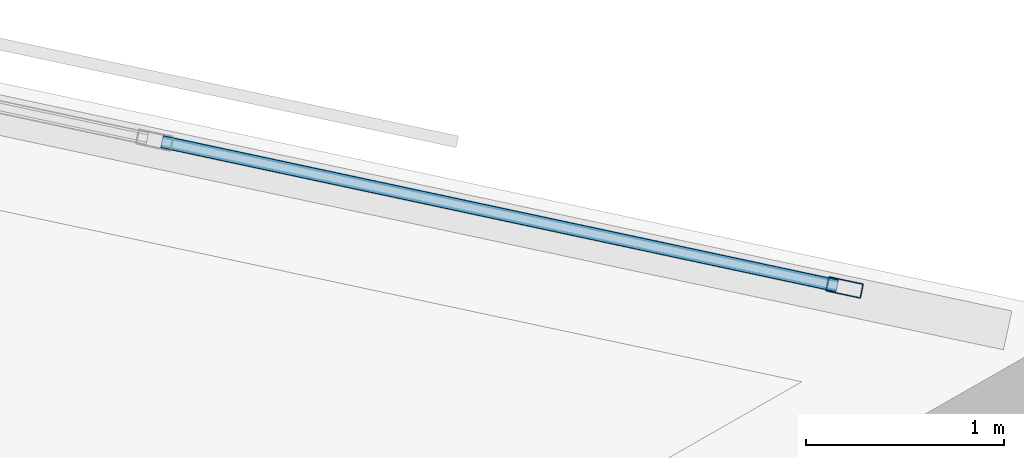
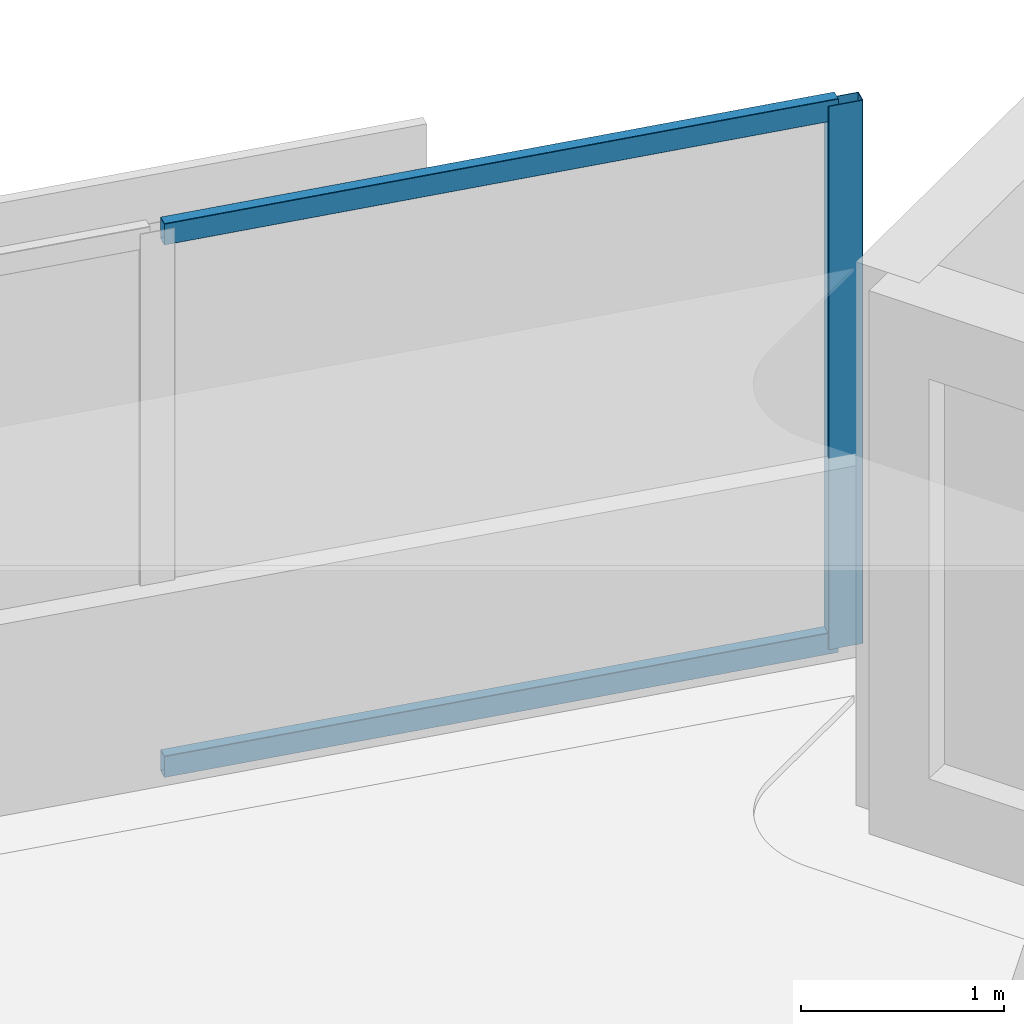
# One storey, part 6 of 13: 3 members, 1 element without a shape of its own.
"""IFC4 building model written with IfcOpenShell, lengths in metres."""

import ifcopenshell
import ifcopenshell.guid

model = None  # the IFC model being written
_history = None  # IfcOwnerHistory: only IFC2X3 demands one
_inside = {}  # id of a spatial element -> (the spatial element, [elements in it])
_under = {}  # id of a project, library or spatial element -> (it, [spatial elements below it])
_declared = {}  # id of a project -> (the project, [libraries it declares])
_typed = {}  # id of a type object -> (the type object, [elements of that type])
_made_of = {}  # id of a material, layer set ... -> (it, [elements and type objects made of it])


def new_model(schema):
    """Start an empty IFC model of exactly this schema.

    Asked for "IFC4X3", IfcOpenShell would pick the latest addendum, in which some entities
    have other attributes; the version numbers below select the first issue.
    IFC2X3 requires an IfcOwnerHistory on every rooted entity: one is made here for all.
    """
    global model, _history
    if schema == "IFC4X3":
        model = ifcopenshell.file(schema_version=(4, 3, 0, 0))
    else:
        model = ifcopenshell.file(schema=schema)
    _inside.clear()
    _under.clear()
    _declared.clear()
    _typed.clear()
    _made_of.clear()
    _history = None
    if model.schema == "IFC2X3":
        org = make("IfcOrganization", Name="unknown")
        user = make(
            "IfcPersonAndOrganization",
            ThePerson=make("IfcPerson", FamilyName="unknown"),
            TheOrganization=org,
        )
        app = make(
            "IfcApplication",
            ApplicationDeveloper=org,
            Version="unknown",
            ApplicationFullName="unknown",
            ApplicationIdentifier="unknown",
        )
        _history = make(
            "IfcOwnerHistory",
            OwningUser=user,
            OwningApplication=app,
            ChangeAction="ADDED",
            CreationDate=0,
        )
    return model


def make(cls, **values):
    """One entity of the class cls with the attributes given. An attribute that is None is left unset."""
    return model.create_entity(
        cls, **{name: value for name, value in values.items() if value is not None}
    )


def rooted(cls, **values):
    """An entity with a GlobalId (a new one), such as an element, a storey or a relation."""
    return make(cls, GlobalId=ifcopenshell.guid.new(), OwnerHistory=_history, **values)


def si_unit(unit_type, name, prefix=None):
    """IfcSIUnit, for example si_unit("LENGTHUNIT", "METRE", prefix="MILLI")."""
    return make("IfcSIUnit", UnitType=unit_type, Prefix=prefix, Name=name)


def assignment(units):
    """IfcUnitAssignment: the units of a project."""
    return None if units is None else make("IfcUnitAssignment", Units=units)


def point(xyz):
    """IfcCartesianPoint."""
    return None if xyz is None else make("IfcCartesianPoint", Coordinates=xyz)


def direction(xyz):
    """IfcDirection."""
    return None if xyz is None else make("IfcDirection", DirectionRatios=xyz)


def frame(location, z_axis=None, x_axis=None):
    """IfcAxis2Placement3D, a coordinate frame: its origin and axes. An axis left out is left unset."""
    return make(
        "IfcAxis2Placement3D",
        Location=point(location),
        Axis=direction(z_axis),
        RefDirection=direction(x_axis),
    )


def frame_2d(location, x_axis=None):
    """IfcAxis2Placement2D, a coordinate frame in the plane: its origin and x axis."""
    return make(
        "IfcAxis2Placement2D", Location=point(location), RefDirection=direction(x_axis)
    )


def origin():
    """The frame at (0, 0, 0) with its axes left unset."""
    return frame((0.0, 0.0, 0.0))


def origin_2d():
    """The frame at (0, 0) in the plane with its x axis left unset."""
    return frame_2d((0.0, 0.0))


def place(relative_to, where):
    """IfcLocalPlacement: puts the frame where relative to a parent placement (None: the world)."""
    return make(
        "IfcLocalPlacement", PlacementRelTo=relative_to, RelativePlacement=where
    )


def context(
    kind, dimensions, precision=None, world=None, true_north=None, identifier=None
):
    """IfcGeometricRepresentationContext, for example the 3D "Model" context."""
    return make(
        "IfcGeometricRepresentationContext",
        ContextIdentifier=identifier,
        ContextType=kind,
        CoordinateSpaceDimension=dimensions,
        Precision=precision,
        WorldCoordinateSystem=world,
        TrueNorth=true_north,
    )


def subcontext(parent, identifier, kind, view, scale=None):
    """IfcGeometricRepresentationSubContext, for example "Body" below "Model"."""
    return make(
        "IfcGeometricRepresentationSubContext",
        ContextIdentifier=identifier,
        ContextType=kind,
        ParentContext=parent,
        TargetScale=scale,
        TargetView=view,
    )


def project(units=None, contexts=None):
    """IfcProject with its units and contexts."""
    return rooted(
        "IfcProject",
        Name="project",
        RepresentationContexts=contexts,
        UnitsInContext=assignment(units),
    )


def spatial(cls, under=None, at=None, **own):
    """A site, building, storey or space (cls), placed at a placement, below another one or the project."""
    s = rooted(cls, ObjectPlacement=at, **own)
    if under is not None:
        _under.setdefault(under.id(), (under, []))[1].append(s)
    return s


def profile(cls, at=None, kind="AREA", **sizes):
    """A parametric profile (cls). Its sizes go by their IFC names, for example OverallWidth=200.0."""
    return make(cls, ProfileType=kind, Position=at, **sizes)


def hollow_rectangle(**sizes):
    """IfcRectangleHollowProfileDef."""
    return profile("IfcRectangleHollowProfileDef", **sizes)


def extrude(swept, where, along, depth):
    """IfcExtrudedAreaSolid: the profile swept, set in the frame where, extruded along a direction by depth."""
    return make(
        "IfcExtrudedAreaSolid",
        SweptArea=swept,
        Position=where,
        ExtrudedDirection=direction(along),
        Depth=depth,
    )


def shape(context_of_items, identifier, shape_type, items):
    """IfcShapeRepresentation: the items that make up one representation, for example the "Body"."""
    return make(
        "IfcShapeRepresentation",
        ContextOfItems=context_of_items,
        RepresentationIdentifier=identifier,
        RepresentationType=shape_type,
        Items=items,
    )


def material(Name=None, Category=None):
    """IfcMaterial."""
    return make("IfcMaterial", Name=Name, Category=Category)


def material_profile(
    of_material, cross_section, Name=None, Category=None, Priority=None
):
    """IfcMaterialProfile: a cross section and its material."""
    return make(
        "IfcMaterialProfile",
        Name=Name,
        Material=of_material,
        Profile=cross_section,
        Priority=Priority,
        Category=Category,
    )


def profile_set(profiles, Name=None, composite=None):
    """IfcMaterialProfileSet."""
    return make(
        "IfcMaterialProfileSet",
        Name=Name,
        MaterialProfiles=profiles,
        CompositeProfile=composite,
    )


def made_of(thing, what):
    """Note that an element or type object is made of a material, layer set ...; save() writes the relation."""
    if what is not None:
        _made_of.setdefault(what.id(), (what, []))[1].append(thing)
    return thing


def type_object(cls, material=None, **own):
    """A type object (cls), such as IfcWallType, which elements share."""
    return made_of(rooted(cls, **own), material)


def element(
    cls,
    number,
    at=None,
    inside=None,
    cuts=None,
    type_object=None,
    material=None,
    context=None,
    identifier="Body",
    shape_type=None,
    held_by="IfcProductDefinitionShape",
    body=None,
    shapes=None,
    **own,
):
    """One element of the class cls, such as IfcWall. Its Tag is "e" and its number.

    at: its placement. inside: the storey or other place that contains it. cuts: it is an
    opening in that element (IfcRelVoidsElement). A single representation is given by context,
    identifier, shape_type and body (its items); several are given by shapes. held_by: the class
    of the entity that holds the representations. save() writes the other relations.
    """
    e = rooted(cls, Tag="e%d" % number, ObjectPlacement=at, **own)
    if body is not None:
        shapes = [shape(context, identifier, shape_type, body)]
    if shapes is not None:
        e.Representation = make(held_by, Representations=shapes)
    if inside is not None:
        _inside.setdefault(inside.id(), (inside, []))[1].append(e)
    if cuts is not None:
        rooted(
            "IfcRelVoidsElement", RelatingBuildingElement=cuts, RelatedOpeningElement=e
        )
    if type_object is not None:
        _typed.setdefault(type_object.id(), (type_object, []))[1].append(e)
    return made_of(e, material)


def aggregate(whole, parts):
    """IfcRelAggregates: a whole, such as a stair, and the parts it consists of."""
    return rooted("IfcRelAggregates", RelatingObject=whole, RelatedObjects=parts)


def save(model, path):
    """Write the relations noted so far, then the file.

    IfcRelAggregates (storeys below a building ...), IfcRelContainedInSpatialStructure (elements
    in a storey), IfcRelDefinesByType, IfcRelAssociatesMaterial and IfcRelDeclares: one each for
    every whole, place, type object, material and project.
    """
    for whole, parts in _under.values():
        aggregate(whole, parts)
    for where, things in _inside.values():
        rooted(
            "IfcRelContainedInSpatialStructure",
            RelatedElements=things,
            RelatingStructure=where,
        )
    for kind, things in _typed.values():
        rooted("IfcRelDefinesByType", RelatedObjects=things, RelatingType=kind)
    for what, things in _made_of.values():
        rooted("IfcRelAssociatesMaterial", RelatedObjects=things, RelatingMaterial=what)
    for by, libraries in _declared.values():
        rooted("IfcRelDeclares", RelatingContext=by, RelatedDefinitions=libraries)
    model.write(path)


model = new_model("IFC4")

# Units and contexts
model_context = context("Model", 3, precision=1e-05, world=origin(), true_north=direction((0.0, 1.0)))
body_context = subcontext(model_context, "Body", "Model", "MODEL_VIEW")
ifc_project = project(units=[si_unit("LENGTHUNIT", "METRE"), si_unit("AREAUNIT", "SQUARE_METRE"), si_unit("VOLUMEUNIT", "CUBIC_METRE"), si_unit("PLANEANGLEUNIT", "RADIAN"), si_unit("MASSUNIT", "GRAM", prefix="KILO")], contexts=[model_context])

# Site, building, storey
site_placement = place(None, origin())
site = spatial("IfcSite", under=ifc_project, at=site_placement, CompositionType="ELEMENT")
building_placement = place(site_placement, origin())
building = spatial("IfcBuilding", under=site, at=building_placement, Name="Narakoshi Arena Tower", CompositionType="ELEMENT")
storey_placement = place(building_placement, frame((0.0, 0.0, 229.06005859375)))
storey = spatial("IfcBuildingStorey", under=building, at=storey_placement, Name="L62", CompositionType="ELEMENT", Elevation=229.06005859375)

# Curtain wall, members
ifc_material = material(Name="Anodised bronze aluminium 6063-T6", Category="aluminium")
curtain_wall_type = type_object("IfcCurtainWallType", Name="CW-HYP-MID", PredefinedType="NOTDEFINED", material=ifc_material)
curtain_wall_placement = place(storey_placement, origin())
curtain_wall = element("IfcCurtainWall", 1, at=curtain_wall_placement, inside=storey, type_object=curtain_wall_type, Name="L62 Folded Hypotenuse Curtain Wall 1-1", PredefinedType="NOTDEFINED")
ifc_material_profile_1 = material_profile(ifc_material, hollow_rectangle(XDim=0.074951171875, YDim=0.179931640625, WallThickness=0.00390625, OuterFilletRadius=0.0048828125, at=origin_2d()), Name="MUL180x75x4")
ifc_profile_set_1 = profile_set([ifc_material_profile_1], Name="Anodised bronze aluminium 6063-T6")
member_type_1 = type_object("IfcMemberType", Name="MEM-MUL-180", PredefinedType="MULLION", material=ifc_profile_set_1)
member_1_placement = place(storey_placement, frame((115.57373046875, 56.938232421875, 0.0), z_axis=(0.0, 0.0, 1.0), x_axis=(-0.208899163248, -0.977937185914, 0.0)))
member_1 = element("IfcMember", 2, at=member_1_placement, type_object=member_type_1, Name="CW-02 mullion 1", PredefinedType="MULLION", context=body_context, shape_type="SweptSolid", body=[
    extrude(hollow_rectangle(XDim=0.074951171875, YDim=0.179931640625, WallThickness=0.00390625, OuterFilletRadius=0.0048828125, at=origin_2d()), origin(), (0.0, 0.0, 1.0), 3.260009765625),
])
ifc_material_profile_2 = material_profile(ifc_material, hollow_rectangle(XDim=0.06494140625, YDim=0.1298828125, WallThickness=0.00390625, OuterFilletRadius=0.0048828125, at=origin_2d()), Name="TRN130x65x4")
ifc_profile_set_2 = profile_set([ifc_material_profile_2], Name="Anodised bronze aluminium 6063-T6")
member_type_2 = type_object("IfcMemberType", Name="MEM-TRN-130", PredefinedType="USERDEFINED", material=ifc_profile_set_2)
member_2_placement = place(storey_placement, frame((115.537109375, 56.946044921875, 0.032470703125), z_axis=(-0.977942813259, 0.20887281775, 0.0), x_axis=(-0.20887281775, -0.977942813259, 0.0)))
member_2 = element("IfcMember", 3, at=member_2_placement, type_object=member_type_2, Name="CW-02 transom 1.1", ObjectType="TRANSOM", PredefinedType="USERDEFINED", context=body_context, shape_type="SweptSolid", body=[
    extrude(hollow_rectangle(XDim=0.06494140625, YDim=0.1298828125, WallThickness=0.00390625, OuterFilletRadius=0.0048828125, at=origin_2d()), origin(), (0.0, 0.0, 1.0), 3.480712890625),
])
member_3_placement = place(storey_placement, frame((115.537109375, 56.946044921875, 3.2275390625), z_axis=(-0.977942813259, 0.20887281775, 0.0), x_axis=(-0.20887281775, -0.977942813259, 0.0)))
member_3 = element("IfcMember", 4, at=member_3_placement, type_object=member_type_2, Name="CW-02 transom 1.2", ObjectType="TRANSOM", PredefinedType="USERDEFINED", context=body_context, shape_type="SweptSolid", body=[
    extrude(hollow_rectangle(XDim=0.06494140625, YDim=0.1298828125, WallThickness=0.00390625, OuterFilletRadius=0.0048828125, at=origin_2d()), origin(), (0.0, 0.0, 1.0), 3.480712890625),
])
aggregate(curtain_wall, [member_1, member_2, member_3])

save(model, "model.ifc")
